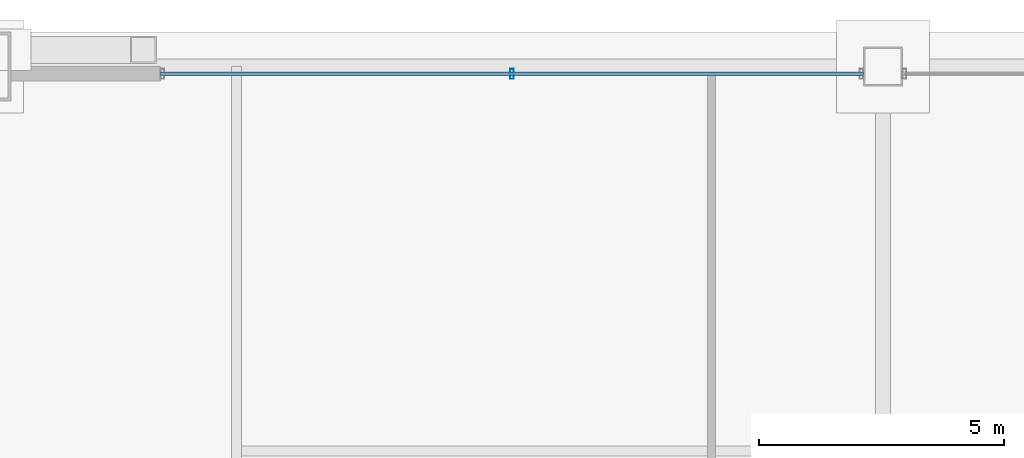
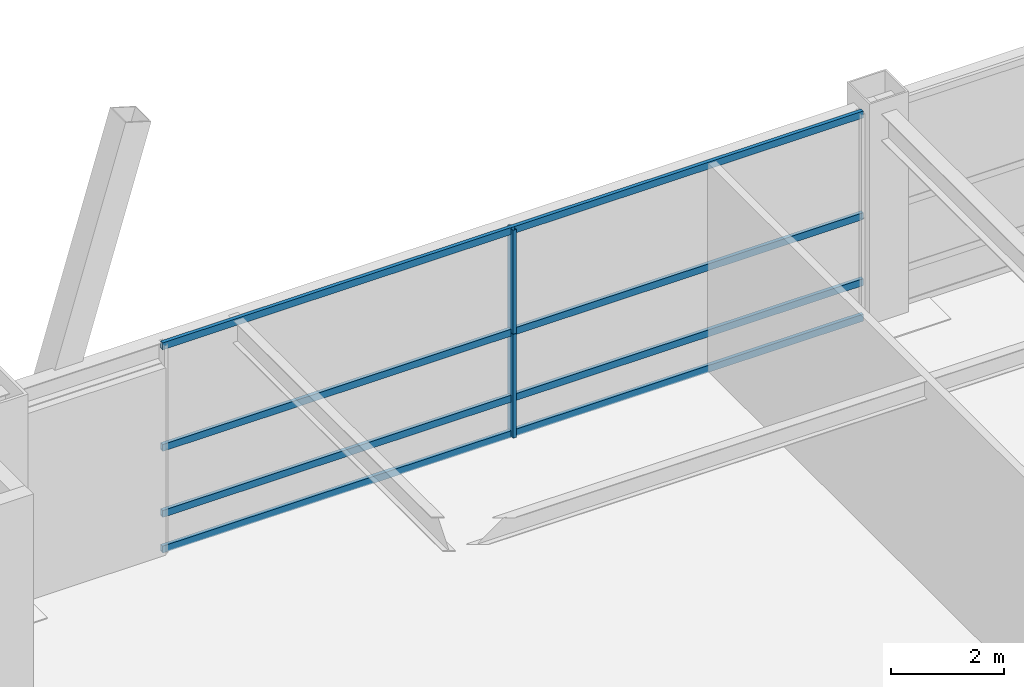
# One storey, part 24 of 34: 6 members, 1 element without a shape of its own.
"""IFC4 building model written with IfcOpenShell, lengths in metres."""

from ifc_helpers import new_model, si_unit, direction, frame, origin, origin_2d, place, context, subcontext, project, spatial, hollow_rectangle, extrude, source, transform, mapped, material, layer, layer_set, material_profile, profile_set, type_object, element, aggregate, save


model = new_model("IFC4")

# Units and contexts
model_context = context("Model", 3, precision=1e-05, world=origin(), true_north=direction((0.0, 1.0)))
body_context = subcontext(model_context, "Body", "Model", "MODEL_VIEW")
ifc_project = project(units=[si_unit("LENGTHUNIT", "METRE"), si_unit("AREAUNIT", "SQUARE_METRE"), si_unit("VOLUMEUNIT", "CUBIC_METRE"), si_unit("PLANEANGLEUNIT", "RADIAN"), si_unit("MASSUNIT", "GRAM", prefix="KILO"), si_unit("THERMODYNAMICTEMPERATUREUNIT", "KELVIN"), si_unit("POWERUNIT", "WATT")], contexts=[model_context])

# Site, building, storey
site_placement = place(None, origin())
site = spatial("IfcSite", under=ifc_project, at=site_placement, CompositionType="ELEMENT")
building_placement = place(site_placement, origin())
building = spatial("IfcBuilding", under=site, at=building_placement, Name="Yuzanri Waterfront Tower", CompositionType="ELEMENT")
storey_placement = place(building_placement, frame((0.0, 0.0, 166.800048828125)))
storey = spatial("IfcBuildingStorey", under=building, at=storey_placement, Name="L44", CompositionType="ELEMENT", Elevation=166.800048828125)

# Curtain wall, members
ifc_material_1 = material(Name="Anodized Architectural Bronze", Category="metal")
ifc_layer = layer(ifc_material_1, 0.159912109375)
ifc_layer_set = layer_set([ifc_layer], Name="Anodized Architectural Bronze")
curtain_wall_type = type_object("IfcCurtainWallType", Name="Anodized Bronze Sky-Lobby Triple-Glazed Feature Curtain Wall 7500", PredefinedType="NOTDEFINED", material=ifc_layer_set)
curtain_wall_placement = place(storey_placement, origin())
curtain_wall = element("IfcCurtainWall", 1, at=curtain_wall_placement, inside=storey, type_object=curtain_wall_type, Name="L44 Curtain Wall CW-L44-NL", PredefinedType="NOTDEFINED")
ifc_material_2 = material(Name="Anodized Architectural Bronze", Category="metal")
ifc_material_profile_1 = material_profile(ifc_material_2, hollow_rectangle(XDim=0.074951171875, YDim=0.199951171875, WallThickness=0.00390625, at=origin_2d()), Name="CWM 75x200")
ifc_profile_set_1 = profile_set([ifc_material_profile_1], Name="Anodized Architectural Bronze")
member_type_1 = type_object("IfcMemberType", Name="Anodized Bronze Primary Curtain-Wall Mullion 75x200", PredefinedType="MULLION", material=ifc_profile_set_1)
shared_shape_1 = source(origin(), body_context, "Body", "SweptSolid", [
    extrude(hollow_rectangle(XDim=0.074951171875, YDim=0.199951171875, WallThickness=0.00390625, at=origin_2d()), origin(), (0.0, 0.0, 1.0), 2.248046875),
])
member_1_placement = place(storey_placement, frame((29.425048828125, 47.75, 0.0), z_axis=(0.0, 0.0, 1.0), x_axis=(1.0, 0.0, 0.0)))
member_1 = element("IfcMember", 2, at=member_1_placement, type_object=member_type_1, Name="CW-L44-NL Lower Mullion 01", PredefinedType="MULLION", context=body_context, shape_type="MappedRepresentation", body=[
    mapped(shared_shape_1, transform((0.0, 0.0, 0.0), scale=1.0)),
])
member_2_placement = place(storey_placement, frame((29.425048828125, 47.75, 2.251953125), z_axis=(0.0, 0.0, 1.0), x_axis=(1.0, 0.0, 0.0)))
member_2 = element("IfcMember", 3, at=member_2_placement, type_object=member_type_1, Name="CW-L44-NL Upper Mullion 01", PredefinedType="MULLION", context=body_context, shape_type="MappedRepresentation", body=[
    mapped(shared_shape_1, transform((0.0, 0.0, 0.0), scale=1.0)),
])
ifc_material_3 = material(Name="Anodized Architectural Bronze", Category="metal")
ifc_material_profile_2 = material_profile(ifc_material_3, hollow_rectangle(XDim=0.074951171875, YDim=0.14990234375, WallThickness=0.00390625, at=origin_2d()), Name="CWT 75x150")
ifc_profile_set_2 = profile_set([ifc_material_profile_2], Name="Anodized Architectural Bronze")
member_type_2 = type_object("IfcMemberType", Name="Anodized Bronze Primary Curtain-Wall Transom 75x150", PredefinedType="USERDEFINED", material=ifc_profile_set_2)
shared_shape_2 = source(origin(), body_context, "Body", "SweptSolid", [
    extrude(hollow_rectangle(XDim=0.074951171875, YDim=0.14990234375, WallThickness=0.00390625, at=origin_2d()), origin(), (0.0, 0.0, 1.0), 14.35009765625),
])
member_3_placement = place(storey_placement, frame((22.25, 47.75, 0.050048828125), z_axis=(1.0, 0.0, 0.0), x_axis=(0.0, 1.0, 0.0)))
member_3 = element("IfcMember", 4, at=member_3_placement, type_object=member_type_2, Name="CW-L44-NL Transom 1", ObjectType="TRANSOM", PredefinedType="USERDEFINED", context=body_context, shape_type="MappedRepresentation", body=[
    mapped(shared_shape_2, transform((0.0, 0.0, 0.0), scale=1.0)),
])
member_4_placement = place(storey_placement, frame((22.25, 47.75, 0.820068359375), z_axis=(1.0, 0.0, 0.0), x_axis=(0.0, 1.0, 0.0)))
member_4 = element("IfcMember", 5, at=member_4_placement, type_object=member_type_2, Name="CW-L44-NL Transom 2", ObjectType="TRANSOM", PredefinedType="USERDEFINED", context=body_context, shape_type="MappedRepresentation", body=[
    mapped(shared_shape_2, transform((0.0, 0.0, 0.0), scale=1.0)),
])
member_5_placement = place(storey_placement, frame((22.25, 47.75, 2.25), z_axis=(1.0, 0.0, 0.0), x_axis=(0.0, 1.0, 0.0)))
member_5 = element("IfcMember", 6, at=member_5_placement, type_object=member_type_2, Name="CW-L44-NL Transom 3", ObjectType="TRANSOM", PredefinedType="USERDEFINED", context=body_context, shape_type="MappedRepresentation", body=[
    mapped(shared_shape_2, transform((0.0, 0.0, 0.0), scale=1.0)),
])
member_6_placement = place(storey_placement, frame((22.25, 47.75, 4.449951171875), z_axis=(1.0, 0.0, 0.0), x_axis=(0.0, 1.0, 0.0)))
member_6 = element("IfcMember", 7, at=member_6_placement, type_object=member_type_2, Name="CW-L44-NL Transom 4", ObjectType="TRANSOM", PredefinedType="USERDEFINED", context=body_context, shape_type="MappedRepresentation", body=[
    mapped(shared_shape_2, transform((0.0, 0.0, 0.0), scale=1.0)),
])
aggregate(curtain_wall, [member_1, member_2, member_3, member_4, member_5, member_6])

save(model, "model.ifc")
